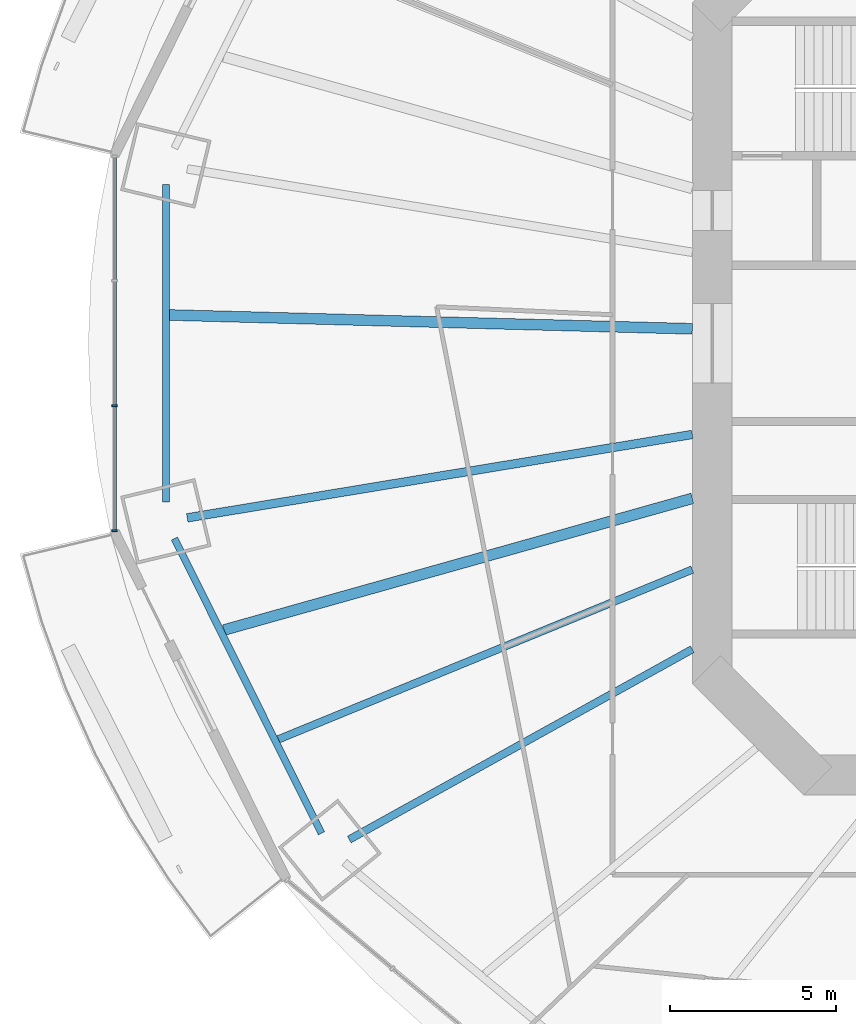
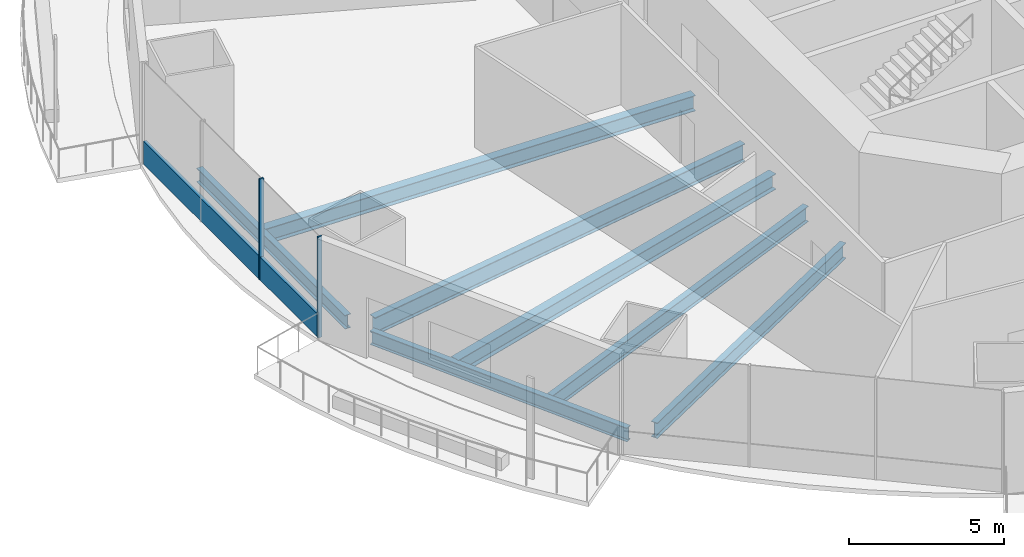
# One storey, part 3 of 22: 7 beams, 3 members, 1 element without a shape of its own.
"""IFC4 building model written with IfcOpenShell, lengths in metres."""

from ifc_helpers import new_model, si_unit, direction, frame, origin, origin_2d, place, context, subcontext, project, spatial, rectangle, i_section, extrude, material, material_profile, profile_set, type_object, element, aggregate, save


model = new_model("IFC4")

# Units and contexts
model_context = context("Model", 3, precision=1e-05, world=origin(), true_north=direction((0.0, 1.0)))
body_context = subcontext(model_context, "Body", "Model", "MODEL_VIEW")
ifc_project = project(units=[si_unit("LENGTHUNIT", "METRE"), si_unit("AREAUNIT", "SQUARE_METRE"), si_unit("VOLUMEUNIT", "CUBIC_METRE"), si_unit("PLANEANGLEUNIT", "RADIAN"), si_unit("MASSUNIT", "GRAM", prefix="KILO")], contexts=[model_context])

# Site, building, storey
site_placement = place(None, origin())
site = spatial("IfcSite", under=ifc_project, at=site_placement, CompositionType="ELEMENT")
building_placement = place(site_placement, origin())
building = spatial("IfcBuilding", under=site, at=building_placement, Name="Marenthal Gate Tower", CompositionType="ELEMENT")
storey_placement = place(building_placement, frame((0.0, 0.0, 99.39990234375)))
storey = spatial("IfcBuildingStorey", under=building, at=storey_placement, Name="L20", CompositionType="ELEMENT", Elevation=99.39990234375)

# Curtain wall, members
ifc_material_1 = material(Name="Aluminium and glass", Category="aluminium")
curtain_wall_type = type_object("IfcCurtainWallType", Name="Curtain wall typical low", PredefinedType="NOTDEFINED", material=ifc_material_1)
curtain_wall_placement = place(storey_placement, origin())
curtain_wall = element("IfcCurtainWall", 1, at=curtain_wall_placement, inside=storey, type_object=curtain_wall_type, Name="Curtain wall L20 bay 8", PredefinedType="NOTDEFINED")
ifc_material_2 = material(Name="Aluminium", Category="aluminium")
ifc_material_profile_1 = material_profile(ifc_material_2, rectangle(XDim=0.159912109375, YDim=0.06005859375, at=origin_2d()), Name="60x160 aluminium mullion")
ifc_profile_set_1 = profile_set([ifc_material_profile_1], Name="Aluminium")
member_type_1 = type_object("IfcMemberType", Name="Mullion 60x160 typical low", PredefinedType="MULLION", material=ifc_profile_set_1)
member_1_placement = place(storey_placement, frame((-34.001953125, -1.87939453125, 0.0), z_axis=(0.0, 0.0, 1.0), x_axis=(1.0, 0.0, 0.0)))
member_1 = element("IfcMember", 2, at=member_1_placement, type_object=member_type_1, Name="Mullion L20 bay 8.3", PredefinedType="MULLION", context=body_context, shape_type="SweptSolid", body=[
    extrude(rectangle(XDim=0.159912109375, YDim=0.06005859375, at=origin_2d()), origin(), (0.0, 0.0, 1.0), 3.97021484375),
])
member_2_placement = place(storey_placement, frame((-34.001953125, -5.637939453125, 0.0), z_axis=(0.0, 0.0, 1.0), x_axis=(1.0, 0.0, 0.0)))
member_2 = element("IfcMember", 3, at=member_2_placement, type_object=member_type_1, Name="Mullion L20 bay 8.4", PredefinedType="MULLION", context=body_context, shape_type="SweptSolid", body=[
    extrude(rectangle(XDim=0.159912109375, YDim=0.06005859375, at=origin_2d()), origin(), (0.0, 0.0, 1.0), 3.97021484375),
])
ifc_material_3 = material(Name="Aluminium", Category="aluminium")
ifc_material_profile_2 = material_profile(ifc_material_3, rectangle(XDim=0.1201171875, YDim=0.89990234375, at=origin_2d()), Name="120x900 aluminium transom")
ifc_profile_set_2 = profile_set([ifc_material_profile_2], Name="Aluminium")
member_type_2 = type_object("IfcMemberType", Name="Transom 120x900 typical low", PredefinedType="USERDEFINED", material=ifc_profile_set_2)
member_3_placement = place(storey_placement, frame((-34.001953125, 5.60791015625, 0.4501953125), z_axis=(0.0, -1.0, 0.0), x_axis=(1.0, 0.0, 0.0)))
member_3 = element("IfcMember", 4, at=member_3_placement, type_object=member_type_2, Name="Transom L20 bay 8", ObjectType="TRANSOM", PredefinedType="USERDEFINED", context=body_context, shape_type="SweptSolid", body=[
    extrude(rectangle(XDim=0.1201171875, YDim=0.89990234375, at=origin_2d()), origin(), (0.0, 0.0, 1.0), 11.2158203125),
])
aggregate(curtain_wall, [member_1, member_2, member_3])

# Beams
ifc_material_4 = material(Name="Steel S355", Category="steel")
ifc_material_profile_3 = material_profile(ifc_material_4, i_section(OverallWidth=0.2119140625, OverallDepth=0.5439453125, WebThickness=0.01318359375, FlangeThickness=0.021240234375, FilletRadius=0.0126953125, at=origin_2d()), Name="W530X123")
ifc_profile_set_3 = profile_set([ifc_material_profile_3], Name="Steel S355")
beam_type_1 = type_object("IfcBeamType", Name="W530X123 beam", PredefinedType="BEAM", material=ifc_profile_set_3)
beam_1_placement = place(storey_placement, frame((-32.4521484375, 4.780029296875, -0.451904296875), z_axis=(0.0, -1.0, 0.0), x_axis=(1.0, 0.0, 0.0)))
element("IfcBeam", 5, at=beam_1_placement, inside=storey, type_object=beam_type_1, Name="BM-L20-48", PredefinedType="BEAM", context=body_context, shape_type="SweptSolid", body=[
    extrude(i_section(OverallWidth=0.2119140625, OverallDepth=0.5439453125, WebThickness=0.01318359375, FlangeThickness=0.021240234375, FilletRadius=0.0126953125, at=origin_2d()), origin(), (0.0, 0.0, 1.0), 9.56005859375),
])
beam_2_placement = place(storey_placement, frame((-32.1943359375, -5.876708984375, -0.451904296875), z_axis=(0.446405750938, -0.89483065746, 0.0), x_axis=(0.89483065746, 0.446405750938, 0.0)))
element("IfcBeam", 6, at=beam_2_placement, inside=storey, type_object=beam_type_1, Name="BM-L20-49", PredefinedType="BEAM", context=body_context, shape_type="SweptSolid", body=[
    extrude(i_section(OverallWidth=0.2119140625, OverallDepth=0.5439453125, WebThickness=0.01318359375, FlangeThickness=0.021240234375, FilletRadius=0.0126953125, at=origin_2d()), origin(), (0.0, 0.0, 1.0), 9.914794921875),
])
ifc_material_5 = material(Name="Steel S355", Category="steel")
ifc_material_profile_4 = material_profile(ifc_material_5, i_section(OverallWidth=0.22900390625, OverallDepth=0.612060546875, WebThickness=0.011962890625, FlangeThickness=0.01953125, FilletRadius=0.0126953125, at=origin_2d()), Name="W610X125")
ifc_profile_set_4 = profile_set([ifc_material_profile_4], Name="Steel S355")
beam_type_2 = type_object("IfcBeamType", Name="W610X125 beam", PredefinedType="BEAM", material=ifc_profile_set_4)
beam_3_placement = place(storey_placement, frame((-26.928466796875, -14.939697265625, -0.48583984375), z_axis=(0.874435979354, 0.485140925929, 0.0), x_axis=(-0.485140925929, 0.874435979354, 0.0)))
element("IfcBeam", 7, at=beam_3_placement, inside=storey, type_object=beam_type_2, Name="BM-L20-10", PredefinedType="BEAM", context=body_context, shape_type="SweptSolid", body=[
    extrude(i_section(OverallWidth=0.22900390625, OverallDepth=0.612060546875, WebThickness=0.011962890625, FlangeThickness=0.01953125, FilletRadius=0.0126953125, at=origin_2d()), origin(), (0.0, 0.0, 1.0), 11.8115234375),
])
beam_4_placement = place(storey_placement, frame((-29.060302734375, -11.921630859375, -0.48583984375), z_axis=(0.925176615925, 0.379536861642, 0.0), x_axis=(-0.379536861642, 0.925176615925, 0.0)))
element("IfcBeam", 8, at=beam_4_placement, inside=storey, type_object=beam_type_2, Name="BM-L20-30", PredefinedType="BEAM", context=body_context, shape_type="SweptSolid", body=[
    extrude(i_section(OverallWidth=0.22900390625, OverallDepth=0.612060546875, WebThickness=0.011962890625, FlangeThickness=0.01953125, FilletRadius=0.0126953125, at=origin_2d()), origin(), (0.0, 0.0, 1.0), 13.468017578125),
])
ifc_material_6 = material(Name="Steel S355", Category="steel")
ifc_material_profile_5 = material_profile(ifc_material_6, i_section(OverallWidth=0.324951171875, OverallDepth=0.612060546875, WebThickness=0.0126953125, FlangeThickness=0.01904296875, FilletRadius=0.0126953125, at=origin_2d()), Name="W610X155")
ifc_profile_set_5 = profile_set([ifc_material_profile_5], Name="Steel S355")
beam_type_3 = type_object("IfcBeamType", Name="W610X155 beam", PredefinedType="BEAM", material=ifc_profile_set_5)
beam_5_placement = place(storey_placement, frame((-32.34619140625, 0.854736328125, -0.48583984375), z_axis=(0.999651167987, -0.026411026889, 0.0), x_axis=(0.026411026889, 0.999651167987, 0.0)))
element("IfcBeam", 9, at=beam_5_placement, inside=storey, type_object=beam_type_3, Name="BM-L20-28", PredefinedType="BEAM", context=body_context, shape_type="SweptSolid", body=[
    extrude(i_section(OverallWidth=0.324951171875, OverallDepth=0.612060546875, WebThickness=0.0126953125, FlangeThickness=0.01904296875, FilletRadius=0.0126953125, at=origin_2d()), origin(), (0.0, 0.0, 1.0), 15.751708984375),
])
beam_6_placement = place(storey_placement, frame((-30.701416015625, -8.631591796875, -0.48583984375), z_axis=(0.962675778396, 0.270657247621, 0.0), x_axis=(-0.270657247621, 0.962675778396, 0.0)))
element("IfcBeam", 10, at=beam_6_placement, inside=storey, type_object=beam_type_3, Name="BM-L20-29", PredefinedType="BEAM", context=body_context, shape_type="SweptSolid", body=[
    extrude(i_section(OverallWidth=0.324951171875, OverallDepth=0.612060546875, WebThickness=0.0126953125, FlangeThickness=0.01904296875, FilletRadius=0.0126953125, at=origin_2d()), origin(), (0.0, 0.0, 1.0), 14.64794921875),
])
ifc_material_7 = material(Name="Steel S355", Category="steel")
ifc_material_profile_6 = material_profile(ifc_material_7, i_section(OverallWidth=0.257080078125, OverallDepth=0.693115234375, WebThickness=0.014404296875, FlangeThickness=0.023681640625, FilletRadius=0.015380859375, at=origin_2d()), Name="W690X170")
ifc_profile_set_6 = profile_set([ifc_material_profile_6], Name="Steel S355")
beam_type_4 = type_object("IfcBeamType", Name="W690X170 beam", PredefinedType="BEAM", material=ifc_profile_set_6)
beam_7_placement = place(storey_placement, frame((-31.80810546875, -5.25341796875, -0.5263671875), z_axis=(0.986634295721, 0.162950196404, 0.0), x_axis=(-0.162950196404, 0.986634295721, 0.0)))
element("IfcBeam", 11, at=beam_7_placement, inside=storey, type_object=beam_type_4, Name="BM-L20-09", PredefinedType="BEAM", context=body_context, shape_type="SweptSolid", body=[
    extrude(i_section(OverallWidth=0.257080078125, OverallDepth=0.693115234375, WebThickness=0.014404296875, FlangeThickness=0.023681640625, FilletRadius=0.015380859375, at=origin_2d()), origin(), (0.0, 0.0, 1.0), 15.4140625),
])

save(model, "model.ifc")
